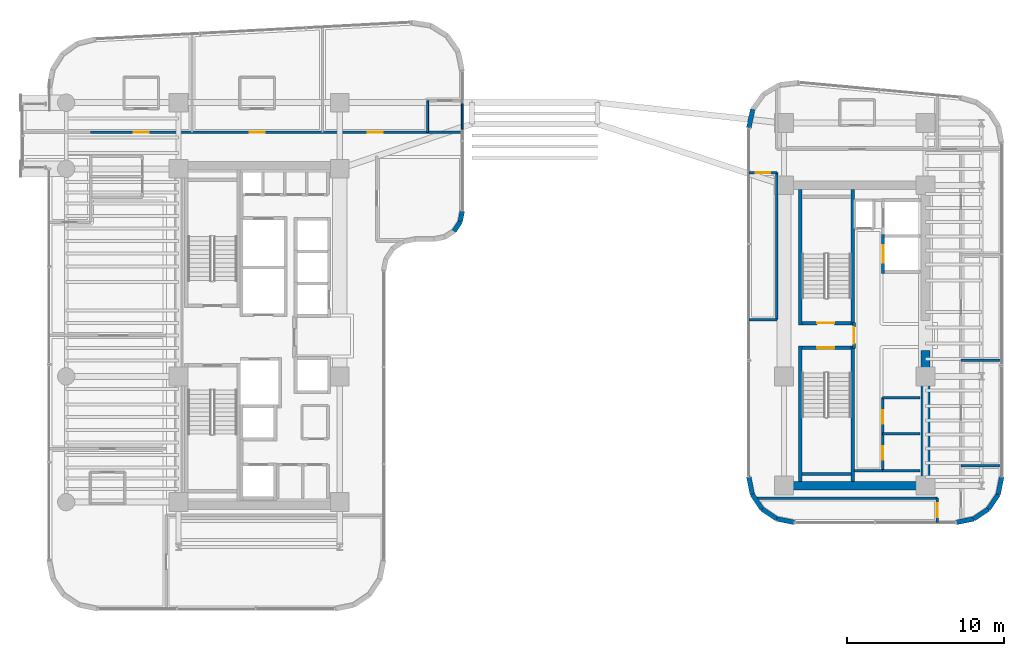
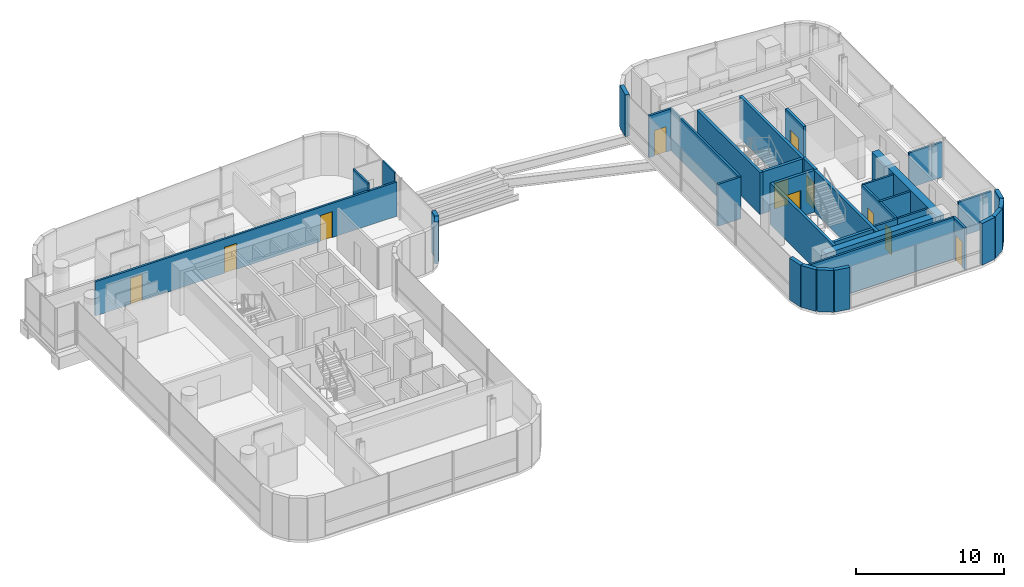
# One storey, part 30 of 36: 37 walls, 11 doors, 11 openings.
"""IFC4 building model written with IfcOpenShell, lengths in metres."""

from ifc_helpers import new_model, si_unit, direction, frame, frame_2d, origin, place, context, subcontext, project, spatial, rectangle, extrude, material, layer, layer_set, type_object, element, fill, save


model = new_model("IFC4")

# Units and contexts
model_context = context("Model", 3, precision=1e-05, world=origin(), true_north=direction((0.0, 1.0)))
body_context = subcontext(model_context, "Body", "Model", "MODEL_VIEW")
ifc_project = project(units=[si_unit("LENGTHUNIT", "METRE"), si_unit("AREAUNIT", "SQUARE_METRE"), si_unit("VOLUMEUNIT", "CUBIC_METRE"), si_unit("PLANEANGLEUNIT", "RADIAN"), si_unit("MASSUNIT", "GRAM", prefix="KILO")], contexts=[model_context])

# Site, building, storey
site_placement = place(None, origin())
site = spatial("IfcSite", under=ifc_project, at=site_placement, CompositionType="ELEMENT")
building_placement = place(site_placement, origin())
building = spatial("IfcBuilding", under=site, at=building_placement, Name="Valdorenza Pilgrim Sanctuary Tower", CompositionType="ELEMENT")
storey_placement = place(building_placement, frame((0.0, 0.0, 153.800048828125)))
storey = spatial("IfcBuildingStorey", under=building, at=storey_placement, Name="L39", CompositionType="ELEMENT", Elevation=153.800048828125)

# Wall
ifc_material_1 = material(Name="Acoustic twin-stud gypsum partition", Category="gypsum")
ifc_layer_1 = layer(ifc_material_1, 0.159912109375, Name="Acoustic twin-stud gypsum partition")
ifc_layer_set_1 = layer_set([ifc_layer_1], Name="Acoustic twin-stud gypsum partition")
wall_type_1 = type_object("IfcWallType", Name="WAL-COR-160", PredefinedType="PARTITIONING", material=ifc_layer_set_1)
wall_1_placement = place(storey_placement, frame((20.300048828125, -8.60009765625, 0.0), z_axis=(0.0, 0.0, 1.0), x_axis=(1.0, 0.0, 0.0)))
element("IfcWall", 1, at=wall_1_placement, inside=storey, type_object=wall_type_1, Name="L39 Core B Lift Hall South End Wall", PredefinedType="PARTITIONING", context=body_context, shape_type="SweptSolid", body=[
    extrude(rectangle(XDim=1.820068359375, YDim=0.159912109375, at=frame_2d((0.91015625, 0.0))), origin(), (0.0, 0.0, 1.0), 3.4599609375),
])

# Wall, openings, doors
wall_2_placement = place(storey_placement, frame((22.1201171875, -8.60009765625, 0.0), z_axis=(0.0, 0.0, 1.0), x_axis=(0.0, 1.0, 0.0)))
wall_2 = element("IfcWall", 2, at=wall_2_placement, inside=storey, type_object=wall_type_1, Name="L39 Core B Freed Shaft West Wall", PredefinedType="PARTITIONING", context=body_context, shape_type="SweptSolid", body=[
    extrude(rectangle(XDim=4.650146484375, YDim=0.159912109375, at=frame_2d((2.3251953125, 0.0))), origin(), (0.0, 0.0, 1.0), 3.4599609375),
])
opening_1_placement = place(wall_2_placement, frame((0.699951171875, 0.0, 0.0)))
opening_1 = element("IfcOpeningElement", 3, at=opening_1_placement, cuts=wall_2, Name="Opening DR-RS1", PredefinedType="OPENING", context=body_context, shape_type="SweptSolid", body=[
    extrude(rectangle(XDim=0.85009765625, YDim=2.050048828125, at=frame_2d((0.425048828125, 1.02490234375))), frame((0.0, 0.0947265625, 0.0), z_axis=(0.0, -1.0, 0.0), x_axis=(1.0, 0.0, 0.0)), (0.0, 0.0, 1.0), 0.189697265625),
])
opening_2_placement = place(wall_2_placement, frame((3.0, 0.0, 0.0)))
opening_2 = element("IfcOpeningElement", 4, at=opening_2_placement, cuts=wall_2, Name="Opening DR-RS1", PredefinedType="OPENING", context=body_context, shape_type="SweptSolid", body=[
    extrude(rectangle(XDim=0.85009765625, YDim=2.050048828125, at=frame_2d((0.425048828125, 1.02490234375))), frame((0.0, 0.0947265625, 0.0), z_axis=(0.0, -1.0, 0.0), x_axis=(1.0, 0.0, 0.0)), (0.0, 0.0, 1.0), 0.189697265625),
])
ifc_material_2 = material(Name="Painted galvanized steel", Category="steel")
door_type_1 = type_object("IfcDoorType", Name="DR-RSR-850", OperationType="NOTDEFINED", PredefinedType="DOOR", material=ifc_material_2)
door_1_placement = place(opening_1_placement, origin())
door_1 = element("IfcDoor", 5, at=door_1_placement, inside=storey, type_object=door_type_1, Name="L39 East Core Housekeeping Store Door", OperationType="SINGLE_SWING_RIGHT", OverallHeight=2.050048828125, OverallWidth=0.85009765625, PredefinedType="DOOR", context=body_context, shape_type="SweptSolid", body=[
    extrude(rectangle(XDim=0.85009765625, YDim=2.050048828125, at=frame_2d((0.425048828125, 1.02490234375))), frame((0.0, 0.02490234375, 0.0), z_axis=(0.0, -1.0, 0.0), x_axis=(1.0, 0.0, 0.0)), (0.0, 0.0, 1.0), 0.050048828125),
])
fill(opening_1, door_1)
door_2_placement = place(opening_2_placement, origin())
door_2 = element("IfcDoor", 6, at=door_2_placement, inside=storey, type_object=door_type_1, Name="L39 East Core Tea Pantry Door", OperationType="SINGLE_SWING_LEFT", OverallHeight=2.050048828125, OverallWidth=0.85009765625, PredefinedType="DOOR", context=body_context, shape_type="SweptSolid", body=[
    extrude(rectangle(XDim=0.85009765625, YDim=2.050048828125, at=frame_2d((0.425048828125, 1.02490234375))), frame((0.0, 0.02490234375, 0.0), z_axis=(0.0, -1.0, 0.0), x_axis=(1.0, 0.0, 0.0)), (0.0, 0.0, 1.0), 0.050048828125),
])
fill(opening_2, door_2)

# Wall
wall_3_placement = place(storey_placement, frame((22.1201171875, -6.25, 0.0), z_axis=(0.0, 0.0, 1.0), x_axis=(1.0, 0.0, 0.0)))
element("IfcWall", 7, at=wall_3_placement, inside=storey, type_object=wall_type_1, Name="L39 Core B Freed Split", PredefinedType="PARTITIONING", context=body_context, shape_type="SweptSolid", body=[
    extrude(rectangle(XDim=2.3798828125, YDim=0.159912109375, at=frame_2d((1.18994140625, 0.0))), origin(), (0.0, 0.0, 1.0), 3.4599609375),
])

# Wall, openings, doors
wall_4_placement = place(storey_placement, frame((-28.25, 12.919921875, 0.0), z_axis=(0.0, 0.0, 1.0), x_axis=(1.0, 0.0, 0.0)))
wall_4 = element("IfcWall", 8, at=wall_4_placement, inside=storey, type_object=wall_type_1, Name="L39 North Corridor Wall", PredefinedType="PARTITIONING", context=body_context, shape_type="SweptSolid", body=[
    extrude(rectangle(XDim=23.639892578125, YDim=0.159912109375, at=frame_2d((11.81982421875, 0.0))), origin(), (0.0, 0.0, 1.0), 2.833984375),
])
opening_3_placement = place(wall_4_placement, frame((2.75, 0.0, 0.0)))
opening_3 = element("IfcOpeningElement", 9, at=opening_3_placement, cuts=wall_4, Name="Opening DR-UN1", PredefinedType="OPENING", context=body_context, shape_type="SweptSolid", body=[
    extrude(rectangle(XDim=0.949951171875, YDim=2.14990234375, at=frame_2d((0.47509765625, 1.074951171875))), frame((0.0, 0.0947265625, 0.0), z_axis=(0.0, -1.0, 0.0), x_axis=(1.0, 0.0, 0.0)), (0.0, 0.0, 1.0), 0.189697265625),
])
opening_4_placement = place(wall_4_placement, frame((10.125, 0.0, 0.0)))
opening_4 = element("IfcOpeningElement", 10, at=opening_4_placement, cuts=wall_4, Name="Opening DR-UN1", PredefinedType="OPENING", context=body_context, shape_type="SweptSolid", body=[
    extrude(rectangle(XDim=0.949951171875, YDim=2.14990234375, at=frame_2d((0.47509765625, 1.074951171875))), frame((0.0, 0.0947265625, 0.0), z_axis=(0.0, -1.0, 0.0), x_axis=(1.0, 0.0, 0.0)), (0.0, 0.0, 1.0), 0.189697265625),
])
opening_5_placement = place(wall_4_placement, frame((17.6201171875, 0.0, 0.0)))
opening_5 = element("IfcOpeningElement", 11, at=opening_5_placement, cuts=wall_4, Name="Opening DR-UN1", PredefinedType="OPENING", context=body_context, shape_type="SweptSolid", body=[
    extrude(rectangle(XDim=0.949951171875, YDim=2.14990234375, at=frame_2d((0.47509765625, 1.074951171875))), frame((0.0, 0.0947265625, 0.0), z_axis=(0.0, -1.0, 0.0), x_axis=(1.0, 0.0, 0.0)), (0.0, 0.0, 1.0), 0.189697265625),
])
ifc_material_3 = material(Name="Solid-core European oak timber", Category="wood")
door_type_2 = type_object("IfcDoorType", Name="DR-UNIT-950", OperationType="NOTDEFINED", PredefinedType="DOOR", material=ifc_material_3)
door_3_placement = place(opening_3_placement, frame((0.949951171875, 0.0, 0.0), z_axis=(0.0, 0.0, 1.0), x_axis=(-1.0, 0.0, 0.0)))
door_3 = element("IfcDoor", 12, at=door_3_placement, inside=storey, type_object=door_type_2, Name="L39 North Guest Room L39-N1 Entrance Door", OperationType="SINGLE_SWING_LEFT", OverallHeight=2.14990234375, OverallWidth=0.949951171875, PredefinedType="DOOR", context=body_context, shape_type="SweptSolid", body=[
    extrude(rectangle(XDim=0.949951171875, YDim=2.14990234375, at=frame_2d((0.47509765625, 1.074951171875))), frame((0.0, 0.02490234375, 0.0), z_axis=(0.0, -1.0, 0.0), x_axis=(1.0, 0.0, 0.0)), (0.0, 0.0, 1.0), 0.050048828125),
])
fill(opening_3, door_3)
door_4_placement = place(opening_4_placement, frame((0.949951171875, 0.0, 0.0), z_axis=(0.0, 0.0, 1.0), x_axis=(-1.0, 0.0, 0.0)))
door_4 = element("IfcDoor", 13, at=door_4_placement, inside=storey, type_object=door_type_2, Name="L39 North Guest Room L39-N2 Entrance Door", OperationType="SINGLE_SWING_LEFT", OverallHeight=2.14990234375, OverallWidth=0.949951171875, PredefinedType="DOOR", context=body_context, shape_type="SweptSolid", body=[
    extrude(rectangle(XDim=0.949951171875, YDim=2.14990234375, at=frame_2d((0.47509765625, 1.074951171875))), frame((0.0, 0.02490234375, 0.0), z_axis=(0.0, -1.0, 0.0), x_axis=(1.0, 0.0, 0.0)), (0.0, 0.0, 1.0), 0.050048828125),
])
fill(opening_4, door_4)
door_5_placement = place(opening_5_placement, frame((0.949951171875, 0.0, 0.0), z_axis=(0.0, 0.0, 1.0), x_axis=(-1.0, 0.0, 0.0)))
door_5 = element("IfcDoor", 14, at=door_5_placement, inside=storey, type_object=door_type_2, Name="L39 North Guest Room L39-N3 Entrance Door", OperationType="SINGLE_SWING_LEFT", OverallHeight=2.14990234375, OverallWidth=0.949951171875, PredefinedType="DOOR", context=body_context, shape_type="SweptSolid", body=[
    extrude(rectangle(XDim=0.949951171875, YDim=2.14990234375, at=frame_2d((0.47509765625, 1.074951171875))), frame((0.0, 0.02490234375, 0.0), z_axis=(0.0, -1.0, 0.0), x_axis=(1.0, 0.0, 0.0)), (0.0, 0.0, 1.0), 0.050048828125),
])
fill(opening_5, door_5)

# Wall, opening, door
wall_5_placement = place(storey_placement, frame((25.60009765625, -11.889892578125, 0.0), z_axis=(0.0, 0.0, 1.0), x_axis=(0.0, 1.0, 0.0)))
wall_5 = element("IfcWall", 15, at=wall_5_placement, inside=storey, type_object=wall_type_1, Name="L39 Wing B South-East Wall", PredefinedType="PARTITIONING", context=body_context, shape_type="SweptSolid", body=[
    extrude(rectangle(XDim=1.539794921875, YDim=0.159912109375, at=frame_2d((0.77001953125, 0.0))), origin(), (0.0, 0.0, 1.0), 3.4599609375),
])
opening_6_placement = place(wall_5_placement, frame((0.320068359375, 0.0, 0.0)))
opening_6 = element("IfcOpeningElement", 16, at=opening_6_placement, cuts=wall_5, Name="Opening DR-RM1", PredefinedType="OPENING", context=body_context, shape_type="SweptSolid", body=[
    extrude(rectangle(XDim=0.89990234375, YDim=2.10009765625, at=frame_2d((0.449951171875, 1.050048828125))), frame((0.0, 0.0947265625, 0.0), z_axis=(0.0, -1.0, 0.0), x_axis=(1.0, 0.0, 0.0)), (0.0, 0.0, 1.0), 0.189697265625),
])
door_type_3 = type_object("IfcDoorType", Name="DR-ROOM-900", OperationType="NOTDEFINED", PredefinedType="DOOR", material=ifc_material_3)
door_6_placement = place(opening_6_placement, origin())
door_6 = element("IfcDoor", 17, at=door_6_placement, inside=storey, type_object=door_type_3, Name="L39 Sacred Manuscript Archive L39-BS Door", OperationType="SINGLE_SWING_RIGHT", OverallHeight=2.10009765625, OverallWidth=0.89990234375, PredefinedType="DOOR", context=body_context, shape_type="SweptSolid", body=[
    extrude(rectangle(XDim=0.89990234375, YDim=2.10009765625, at=frame_2d((0.449951171875, 1.050048828125))), frame((0.0, 0.02490234375, 0.0), z_axis=(0.0, -1.0, 0.0), x_axis=(1.0, 0.0, 0.0)), (0.0, 0.0, 1.0), 0.050048828125),
])
fill(opening_6, door_6)

# Wall
wall_6_placement = place(storey_placement, frame((14.14599609375, -10.35009765625, 0.0), z_axis=(0.0, 0.0, 1.0), x_axis=(1.0, 0.0, 0.0)))
element("IfcWall", 18, at=wall_6_placement, inside=storey, type_object=wall_type_1, Name="L39 Wing B South Closure", PredefinedType="PARTITIONING", context=body_context, shape_type="SweptSolid", body=[
    extrude(rectangle(XDim=11.4541015625, YDim=0.159912109375, at=frame_2d((5.72705078125, 0.0))), origin(), (0.0, 0.0, 1.0), 3.4599609375),
])

# Wall, opening, door
wall_7_placement = place(storey_placement, frame((13.610107421875, 10.35009765625, 0.0), z_axis=(0.0, 0.0, 1.0), x_axis=(1.0, 0.0, 0.0)))
wall_7 = element("IfcWall", 19, at=wall_7_placement, inside=storey, type_object=wall_type_1, Name="L39 Courtyard Overlook North Wall", PredefinedType="PARTITIONING", context=body_context, shape_type="SweptSolid", body=[
    extrude(rectangle(XDim=1.789794921875, YDim=0.159912109375, at=frame_2d((0.89501953125, 0.0))), origin(), (0.0, 0.0, 1.0), 3.4599609375),
])
opening_7_placement = place(wall_7_placement, frame((0.449951171875, 0.0, 0.0)))
opening_7 = element("IfcOpeningElement", 20, at=opening_7_placement, cuts=wall_7, Name="Opening DR-RM1", PredefinedType="OPENING", context=body_context, shape_type="SweptSolid", body=[
    extrude(rectangle(XDim=0.89990234375, YDim=2.10009765625, at=frame_2d((0.449951171875, 1.050048828125))), frame((0.0, 0.0947265625, 0.0), z_axis=(0.0, -1.0, 0.0), x_axis=(1.0, 0.0, 0.0)), (0.0, 0.0, 1.0), 0.189697265625),
])
door_7_placement = place(opening_7_placement, origin())
door_7 = element("IfcDoor", 21, at=door_7_placement, inside=storey, type_object=door_type_3, Name="L39 Courtyard Overlook Salon Door", OperationType="SINGLE_SWING_RIGHT", OverallHeight=2.10009765625, OverallWidth=0.89990234375, PredefinedType="DOOR", context=body_context, shape_type="SweptSolid", body=[
    extrude(rectangle(XDim=0.89990234375, YDim=2.10009765625, at=frame_2d((0.449951171875, 1.050048828125))), frame((0.0, 0.02490234375, 0.0), z_axis=(0.0, -1.0, 0.0), x_axis=(1.0, 0.0, 0.0)), (0.0, 0.0, 1.0), 0.050048828125),
])
fill(opening_7, door_7)

# Walls
wall_8_placement = place(storey_placement, frame((15.39990234375, 1.0, 0.0), z_axis=(0.0, 0.0, 1.0), x_axis=(0.0, 1.0, 0.0)))
element("IfcWall", 22, at=wall_8_placement, inside=storey, type_object=wall_type_1, Name="L39 Courtyard Overlook East Wall", PredefinedType="PARTITIONING", context=body_context, shape_type="SweptSolid", body=[
    extrude(rectangle(XDim=9.35009765625, YDim=0.159912109375, at=frame_2d((4.675048828125, 0.0))), origin(), (0.0, 0.0, 1.0), 3.4599609375),
])
wall_9_placement = place(storey_placement, frame((13.610107421875, 1.0, 0.0), z_axis=(0.0, 0.0, 1.0), x_axis=(1.0, 0.0, 0.0)))
element("IfcWall", 23, at=wall_9_placement, inside=storey, type_object=wall_type_1, Name="L39 Courtyard Overlook South Wall", PredefinedType="PARTITIONING", context=body_context, shape_type="SweptSolid", body=[
    extrude(rectangle(XDim=1.789794921875, YDim=0.159912109375, at=frame_2d((0.89501953125, 0.0))), origin(), (0.0, 0.0, 1.0), 3.4599609375),
])
ifc_material_4 = material(Name="Concrete C50/60", Category="concrete")
ifc_layer_2 = layer(ifc_material_4, 0.550048828125, Name="Concrete C50/60")
ifc_layer_set_2 = layer_set([ifc_layer_2], Name="Concrete C50/60")
wall_type_2 = type_object("IfcWallType", Name="WAL-COR-550", PredefinedType="SHEAR", material=ifc_layer_set_2)
wall_10_placement = place(storey_placement, frame((24.85009765625, -9.824951171875, 0.0), z_axis=(0.0, 0.0, 1.0), x_axis=(0.0, 1.0, 0.0)))
element("IfcWall", 24, at=wall_10_placement, inside=storey, type_object=wall_type_2, Name="L39 Split Core B Shear Wall ES", PredefinedType="SHEAR", context=body_context, shape_type="SweptSolid", body=[
    extrude(rectangle(XDim=8.875, YDim=0.550048828125, at=frame_2d((4.4375, 0.0))), origin(), (0.0, 0.0, 1.0), 3.4599609375),
])
wall_11_placement = place(storey_placement, frame((15.85009765625, -9.550048828125, 0.0), z_axis=(0.0, 0.0, 1.0), x_axis=(1.0, 0.0, 0.0)))
element("IfcWall", 25, at=wall_11_placement, inside=storey, type_object=wall_type_2, Name="L39 Split Core B Shear Wall S", PredefinedType="SHEAR", context=body_context, shape_type="SweptSolid", body=[
    extrude(rectangle(XDim=9.0, YDim=0.550048828125, at=frame_2d((4.5, 0.0))), origin(), (0.0, 0.0, 1.0), 3.4599609375),
])
ifc_material_5 = material(Name="Honed travertine limestone", Category="masonry")
ifc_layer_3 = layer(ifc_material_5, 0.300048828125, Name="Honed travertine limestone")
ifc_layer_set_3 = layer_set([ifc_layer_3], Name="Honed travertine limestone")
wall_type_3 = type_object("IfcWallType", Name="WAL-EXT-300", PredefinedType="SOLIDWALL", material=ifc_layer_set_3)
wall_12_placement = place(storey_placement, frame((-4.610107421875, 7.910888671875, 0.0), z_axis=(0.0, 0.0, 1.0), x_axis=(-0.194989739953, -0.980805282058, 0.0)))
element("IfcWall", 26, at=wall_12_placement, inside=storey, type_object=wall_type_3, Name="L39 Rounded Wind-Corner Stone Pier 12", PredefinedType="SOLIDWALL", context=body_context, shape_type="SweptSolid", body=[
    extrude(rectangle(XDim=0.708740234375, YDim=0.300048828125, at=frame_2d((0.3544921875, 0.0))), origin(), (0.0, 0.0, 1.0), 3.4599609375),
])
wall_13_placement = place(storey_placement, frame((-4.748291015625, 7.2158203125, 0.0), z_axis=(0.0, 0.0, 1.0), x_axis=(-0.555426877366, -0.831565381614, 0.0)))
element("IfcWall", 27, at=wall_13_placement, inside=storey, type_object=wall_type_3, Name="L39 Rounded Wind-Corner Stone Pier 13", PredefinedType="SOLIDWALL", context=body_context, shape_type="SweptSolid", body=[
    extrude(rectangle(XDim=0.697509765625, YDim=0.300048828125, at=frame_2d((0.3486328125, 0.0))), origin(), (0.0, 0.0, 1.0), 3.4599609375),
])
wall_14_placement = place(storey_placement, frame((13.610107421875, 13.19970703125, 0.0), z_axis=(0.0, 0.0, 1.0), x_axis=(0.206133180315, 0.978523945529, 0.0)))
element("IfcWall", 28, at=wall_14_placement, inside=storey, type_object=wall_type_3, Name="L39 Rounded Wind-Corner Stone Pier 2", PredefinedType="SOLIDWALL", context=body_context, shape_type="SweptSolid", body=[
    extrude(rectangle(XDim=1.203369140625, YDim=0.300048828125, at=frame_2d((0.6015625, 0.0))), origin(), (0.0, 0.0, 1.0), 3.4599609375),
])
wall_15_placement = place(storey_placement, frame((29.68994140625, -8.9892578125, 0.0), z_axis=(0.0, 0.0, 1.0), x_axis=(-0.195043173023, -0.980794657743, 0.0)))
element("IfcWall", 29, at=wall_15_placement, inside=storey, type_object=wall_type_3, Name="L39 Rounded Wind-Corner Stone Pier 12", PredefinedType="SOLIDWALL", context=body_context, shape_type="SweptSolid", body=[
    extrude(rectangle(XDim=1.137939453125, YDim=0.300048828125, at=frame_2d((0.56884765625, 0.0))), origin(), (0.0, 0.0, 1.0), 3.4599609375),
])
for number, where, z_axis, x_axis, name in (
    (30, (29.468017578125, -10.105224609375, 0.0), (0.0, 0.0, 1.0), (-0.555599979619, -0.831449735491, 0.0), "L39 Rounded Wind-Corner Stone Pier 13"),
    (31, (28.842041015625, -11.0419921875, 0.0), (0.0, 0.0, 1.0), (-0.831449735491, -0.555599979619, 0.0), "L39 Rounded Wind-Corner Stone Pier 14"),
):
    element("IfcWall", number, at=place(storey_placement, frame(where, z_axis=z_axis, x_axis=x_axis)), inside=storey, type_object=wall_type_3, Name=name, PredefinedType="SOLIDWALL", context=body_context, shape_type="SweptSolid", body=[
        extrude(rectangle(XDim=1.126708984375, YDim=0.300048828125, at=frame_2d((0.5634765625, 0.0))), origin(), (0.0, 0.0, 1.0), 3.4599609375),
    ])
for number, where, z_axis, x_axis, name in (
    (32, (27.9052734375, -11.66796875, 0.0), (0.0, 0.0, 1.0), (-0.980794657743, -0.195043173023, 0.0), "L39 Rounded Wind-Corner Stone Pier 15"),
    (33, (16.5107421875, -11.889892578125, 0.0), (0.0, 0.0, 1.0), (-0.980794657743, 0.195043173023, 0.0), "L39 Rounded Wind-Corner Stone Pier 17"),
):
    element("IfcWall", number, at=place(storey_placement, frame(where, z_axis=z_axis, x_axis=x_axis)), inside=storey, type_object=wall_type_3, Name=name, PredefinedType="SOLIDWALL", context=body_context, shape_type="SweptSolid", body=[
        extrude(rectangle(XDim=1.137939453125, YDim=0.300048828125, at=frame_2d((0.56884765625, 0.0))), origin(), (0.0, 0.0, 1.0), 3.4599609375),
    ])
for number, where, z_axis, x_axis, name in (
    (34, (15.394775390625, -11.66796875, 0.0), (0.0, 0.0, 1.0), (-0.831449735491, 0.555599979619, 0.0), "L39 Rounded Wind-Corner Stone Pier 18"),
    (35, (14.4580078125, -11.0419921875, 0.0), (0.0, 0.0, 1.0), (-0.555599979619, 0.831449735491, 0.0), "L39 Rounded Wind-Corner Stone Pier 19"),
):
    element("IfcWall", number, at=place(storey_placement, frame(where, z_axis=z_axis, x_axis=x_axis)), inside=storey, type_object=wall_type_3, Name=name, PredefinedType="SOLIDWALL", context=body_context, shape_type="SweptSolid", body=[
        extrude(rectangle(XDim=1.126708984375, YDim=0.300048828125, at=frame_2d((0.5634765625, 0.0))), origin(), (0.0, 0.0, 1.0), 3.4599609375),
    ])
wall_16_placement = place(storey_placement, frame((13.83203125, -10.105224609375, 0.0), z_axis=(0.0, 0.0, 1.0), x_axis=(-0.195043173023, 0.980794657743, 0.0)))
element("IfcWall", 36, at=wall_16_placement, inside=storey, type_object=wall_type_3, Name="L39 Rounded Wind-Corner Stone Pier 20", PredefinedType="SOLIDWALL", context=body_context, shape_type="SweptSolid", body=[
    extrude(rectangle(XDim=1.137939453125, YDim=0.300048828125, at=frame_2d((0.56884765625, 0.0))), origin(), (0.0, 0.0, 1.0), 3.4599609375),
])

# Wall, opening, door
ifc_material_6 = material(Name="Gypsum shaftwall partition", Category="gypsum")
ifc_layer_4 = layer(ifc_material_6, 0.199951171875, Name="Gypsum shaftwall partition")
ifc_layer_set_4 = layer_set([ifc_layer_4], Name="Gypsum shaftwall partition")
wall_type_4 = type_object("IfcWallType", Name="WAL-FFL-200", PredefinedType="PARTITIONING", material=ifc_layer_set_4)
wall_17_placement = place(storey_placement, frame((20.300048828125, -0.820068359375, 0.0), z_axis=(0.0, 0.0, 1.0), x_axis=(0.0, 1.0, 0.0)))
wall_17 = element("IfcWall", 37, at=wall_17_placement, inside=storey, type_object=wall_type_4, Name="L39 Core B Firefighting Lobby East Wall", PredefinedType="PARTITIONING", context=body_context, shape_type="SweptSolid", body=[
    extrude(rectangle(XDim=1.64013671875, YDim=0.199951171875, at=frame_2d((0.820068359375, 0.0))), origin(), (0.0, 0.0, 1.0), 3.4599609375),
])
opening_8_placement = place(wall_17_placement, frame((0.294921875, 0.0, 0.0)))
opening_8 = element("IfcOpeningElement", 38, at=opening_8_placement, cuts=wall_17, Name="Opening DR-FL1", PredefinedType="OPENING", context=body_context, shape_type="SweptSolid", body=[
    extrude(rectangle(XDim=1.050048828125, YDim=2.14990234375, at=frame_2d((0.52490234375, 1.074951171875))), frame((0.0, 0.11474609375, 0.0), z_axis=(0.0, -1.0, 0.0), x_axis=(1.0, 0.0, 0.0)), (0.0, 0.0, 1.0), 0.229736328125),
])
door_type_4 = type_object("IfcDoorType", Name="DR-FFL-1050", OperationType="NOTDEFINED", PredefinedType="DOOR", material=ifc_material_2)
door_8_placement = place(opening_8_placement, origin())
door_8 = element("IfcDoor", 39, at=door_8_placement, inside=storey, type_object=door_type_4, Name="L39 Core B Firefighting Lobby Door", OperationType="SINGLE_SWING_RIGHT", OverallHeight=2.14990234375, OverallWidth=1.050048828125, PredefinedType="DOOR", context=body_context, shape_type="SweptSolid", body=[
    extrude(rectangle(XDim=1.050048828125, YDim=2.14990234375, at=frame_2d((0.52490234375, 1.074951171875))), frame((0.0, 0.02490234375, 0.0), z_axis=(0.0, -1.0, 0.0), x_axis=(1.0, 0.0, 0.0)), (0.0, 0.0, 1.0), 0.050048828125),
])
fill(opening_8, door_8)

# Walls
ifc_material_7 = material(Name="Moisture-resistant gypsum partition", Category="gypsum")
ifc_layer_5 = layer(ifc_material_7, 0.1201171875, Name="Moisture-resistant gypsum partition")
ifc_layer_set_5 = layer_set([ifc_layer_5], Name="Moisture-resistant gypsum partition")
wall_type_5 = type_object("IfcWallType", Name="WAL-INT-120", PredefinedType="PARTITIONING", material=ifc_layer_set_5)
wall_18_placement = place(storey_placement, frame((-6.81005859375, 12.919921875, 0.0), z_axis=(0.0, 0.0, 1.0), x_axis=(0.0, 1.0, 0.0)))
element("IfcWall", 40, at=wall_18_placement, inside=storey, type_object=wall_type_5, Name="L39 North Guest Room L39-N3 En-suite West Wall", PredefinedType="PARTITIONING", context=body_context, shape_type="SweptSolid", body=[
    extrude(rectangle(XDim=2.0, YDim=0.1201171875, at=frame_2d((1.0, 0.0))), origin(), (0.0, 0.0, 1.0), 3.4599609375),
])
wall_19_placement = place(storey_placement, frame((-4.610107421875, 13.1201171875, 0.0), z_axis=(0.0, 0.0, 1.0), x_axis=(0.0, 1.0, 0.0)))
element("IfcWall", 41, at=wall_19_placement, inside=storey, type_object=wall_type_5, Name="L39 NW-G3-ENS Enclosure Wall E", PredefinedType="PARTITIONING", context=body_context, shape_type="SweptSolid", body=[
    extrude(rectangle(XDim=1.619873046875, YDim=0.1201171875, at=frame_2d((0.81005859375, 0.0))), origin(), (0.0, 0.0, 1.0), 3.4599609375),
])

# Wall, opening, door
ifc_material_8 = material(Name="Autoclaved aerated concrete blockwork", Category="masonry")
ifc_layer_6 = layer(ifc_material_8, 0.199951171875, Name="Autoclaved aerated concrete blockwork")
ifc_layer_set_6 = layer_set([ifc_layer_6], Name="Autoclaved aerated concrete blockwork")
wall_type_6 = type_object("IfcWallType", Name="WAL-SHF-200", PredefinedType="MOVABLE", material=ifc_layer_set_6)
wall_20_placement = place(storey_placement, frame((22.14990234375, 3.949951171875, 0.0), z_axis=(0.0, 0.0, 1.0), x_axis=(0.0, 1.0, 0.0)))
wall_20 = element("IfcWall", 42, at=wall_20_placement, inside=storey, type_object=wall_type_6, Name="L39 Lift PL-07 Hoistway Wall West", PredefinedType="MOVABLE", context=body_context, shape_type="SweptSolid", body=[
    extrude(rectangle(XDim=2.47509765625, YDim=0.199951171875, at=frame_2d((1.237548828125, 0.0))), origin(), (0.0, 0.0, 1.0), 3.4599609375),
])
opening_9_placement = place(wall_20_placement, frame((0.6875, 0.0, 0.0)))
opening_9 = element("IfcOpeningElement", 43, at=opening_9_placement, cuts=wall_20, Name="Opening LD-01", PredefinedType="OPENING", context=body_context, shape_type="SweptSolid", body=[
    extrude(rectangle(XDim=1.10009765625, YDim=2.10009765625, at=frame_2d((0.550048828125, 1.050048828125))), frame((0.0, 0.11474609375, 0.0), z_axis=(0.0, -1.0, 0.0), x_axis=(1.0, 0.0, 0.0)), (0.0, 0.0, 1.0), 0.229736328125),
])
ifc_material_9 = material(Name="Brushed stainless steel Grade 316", Category="steel")
door_type_5 = type_object("IfcDoorType", Name="DR-LFT-1100", OperationType="DOUBLE_DOOR_SLIDING", PredefinedType="DOOR", material=ifc_material_9)
door_9_placement = place(opening_9_placement, origin())
door_9 = element("IfcDoor", 44, at=door_9_placement, inside=storey, type_object=door_type_5, Name="L39 Lift PL-07 Sliding Landing Door", OperationType="DOUBLE_DOOR_SLIDING", OverallHeight=2.10009765625, OverallWidth=1.10009765625, PredefinedType="DOOR", context=body_context, shape_type="SweptSolid", body=[
    extrude(rectangle(XDim=1.10009765625, YDim=2.10009765625, at=frame_2d((0.550048828125, 1.050048828125))), frame((0.0, 0.02490234375, 0.0), z_axis=(0.0, -1.0, 0.0), x_axis=(1.0, 0.0, 0.0)), (0.0, 0.0, 1.0), 0.050048828125),
])
fill(opening_9, door_9)

# Walls
ifc_material_10 = material(Name="Concrete C40/50", Category="concrete")
ifc_layer_7 = layer(ifc_material_10, 0.219970703125, Name="Concrete C40/50")
ifc_layer_set_7 = layer_set([ifc_layer_7], Name="Concrete C40/50")
wall_type_7 = type_object("IfcWallType", Name="WAL-STR-SHF-220", PredefinedType="SHEAR", material=ifc_layer_set_7)
for number, where, z_axis, x_axis, name in (
    (45, (16.889892578125, 0.679931640625, 0.0), (0.0, 0.0, 1.0), (0.0, 1.0, 0.0), "L39 ST-B1 Structural Stairwell Wall W"),
    (46, (20.219970703125, 0.679931640625, 0.0), (0.0, 0.0, 1.0), (0.0, 1.0, 0.0), "L39 ST-B1 Structural Stairwell Wall E"),
):
    element("IfcWall", number, at=place(storey_placement, frame(where, z_axis=z_axis, x_axis=x_axis)), inside=storey, type_object=wall_type_7, Name=name, PredefinedType="SHEAR", context=body_context, shape_type="SweptSolid", body=[
        extrude(rectangle(XDim=8.594970703125, YDim=0.219970703125, at=frame_2d((4.29736328125, 0.0))), origin(), (0.0, 0.0, 1.0), 3.4599609375),
    ])

# Wall, opening, door
wall_21_placement = place(storey_placement, frame((17.0, 0.7900390625, 0.0), z_axis=(0.0, 0.0, 1.0), x_axis=(1.0, 0.0, 0.0)))
wall_21 = element("IfcWall", 47, at=wall_21_placement, inside=storey, type_object=wall_type_7, Name="L39 ST-B1 Structural Stairwell Wall S", PredefinedType="SHEAR", context=body_context, shape_type="SweptSolid", body=[
    extrude(rectangle(XDim=3.110107421875, YDim=0.219970703125, at=frame_2d((1.55517578125, 0.0))), origin(), (0.0, 0.0, 1.0), 3.4599609375),
])
opening_10_placement = place(wall_21_placement, frame((0.949951171875, 0.0, 0.0)))
opening_10 = element("IfcOpeningElement", 48, at=opening_10_placement, cuts=wall_21, Name="Opening DR-ST1", PredefinedType="OPENING", context=body_context, shape_type="SweptSolid", body=[
    extrude(rectangle(XDim=1.10009765625, YDim=2.14990234375, at=frame_2d((0.550048828125, 1.074951171875))), frame((0.0, 0.125, 0.0), z_axis=(0.0, -1.0, 0.0), x_axis=(1.0, 0.0, 0.0)), (0.0, 0.0, 1.0), 0.249755859375),
])
door_type_6 = type_object("IfcDoorType", Name="DR-STAIR-1100", OperationType="NOTDEFINED", PredefinedType="DOOR", material=ifc_material_2)
door_10_placement = place(opening_10_placement, frame((1.10009765625, 0.0, 0.0), z_axis=(0.0, 0.0, 1.0), x_axis=(-1.0, 0.0, 0.0)))
door_10 = element("IfcDoor", 49, at=door_10_placement, inside=storey, type_object=door_type_6, Name="L39 Exit Stair ST-B1 Door", OperationType="SINGLE_SWING_LEFT", OverallHeight=2.14990234375, OverallWidth=1.10009765625, PredefinedType="DOOR", context=body_context, shape_type="SweptSolid", body=[
    extrude(rectangle(XDim=1.10009765625, YDim=2.14990234375, at=frame_2d((0.550048828125, 1.074951171875))), frame((0.0, 0.02490234375, 0.0), z_axis=(0.0, -1.0, 0.0), x_axis=(1.0, 0.0, 0.0)), (0.0, 0.0, 1.0), 0.050048828125),
])
fill(opening_10, door_10)

# Walls
for number, where, z_axis, x_axis, name in (
    (50, (16.889892578125, -9.27490234375, 0.0), (0.0, 0.0, 1.0), (0.0, 1.0, 0.0), "L39 ST-B2 Structural Stairwell Wall W"),
    (51, (20.219970703125, -9.27490234375, 0.0), (0.0, 0.0, 1.0), (0.0, 1.0, 0.0), "L39 ST-B2 Structural Stairwell Wall E"),
):
    element("IfcWall", number, at=place(storey_placement, frame(where, z_axis=z_axis, x_axis=x_axis)), inside=storey, type_object=wall_type_7, Name=name, PredefinedType="SHEAR", context=body_context, shape_type="SweptSolid", body=[
        extrude(rectangle(XDim=8.594970703125, YDim=0.219970703125, at=frame_2d((4.29736328125, 0.0))), origin(), (0.0, 0.0, 1.0), 3.4599609375),
    ])
wall_22_placement = place(storey_placement, frame((17.0, -8.81005859375, 0.0), z_axis=(0.0, 0.0, 1.0), x_axis=(1.0, 0.0, 0.0)))
element("IfcWall", 52, at=wall_22_placement, inside=storey, type_object=wall_type_7, Name="L39 ST-B2 Structural Stairwell Wall S", PredefinedType="SHEAR", context=body_context, shape_type="SweptSolid", body=[
    extrude(rectangle(XDim=3.110107421875, YDim=0.219970703125, at=frame_2d((1.55517578125, 0.0))), origin(), (0.0, 0.0, 1.0), 3.4599609375),
])

# Wall, opening, door
wall_23_placement = place(storey_placement, frame((17.0, -0.7900390625, 0.0), z_axis=(0.0, 0.0, 1.0), x_axis=(1.0, 0.0, 0.0)))
wall_23 = element("IfcWall", 53, at=wall_23_placement, inside=storey, type_object=wall_type_7, Name="L39 ST-B2 Structural Stairwell Wall N", PredefinedType="SHEAR", context=body_context, shape_type="SweptSolid", body=[
    extrude(rectangle(XDim=3.110107421875, YDim=0.219970703125, at=frame_2d((1.55517578125, 0.0))), origin(), (0.0, 0.0, 1.0), 3.4599609375),
])
opening_11_placement = place(wall_23_placement, frame((0.949951171875, 0.0, 0.0)))
opening_11 = element("IfcOpeningElement", 54, at=opening_11_placement, cuts=wall_23, Name="Opening DR-ST1", PredefinedType="OPENING", context=body_context, shape_type="SweptSolid", body=[
    extrude(rectangle(XDim=1.10009765625, YDim=2.14990234375, at=frame_2d((0.550048828125, 1.074951171875))), frame((0.0, 0.125, 0.0), z_axis=(0.0, -1.0, 0.0), x_axis=(1.0, 0.0, 0.0)), (0.0, 0.0, 1.0), 0.249755859375),
])
door_11_placement = place(opening_11_placement, origin())
door_11 = element("IfcDoor", 55, at=door_11_placement, inside=storey, type_object=door_type_6, Name="L39 Exit Stair ST-B2 Door", OperationType="SINGLE_SWING_RIGHT", OverallHeight=2.14990234375, OverallWidth=1.10009765625, PredefinedType="DOOR", context=body_context, shape_type="SweptSolid", body=[
    extrude(rectangle(XDim=1.10009765625, YDim=2.14990234375, at=frame_2d((0.550048828125, 1.074951171875))), frame((0.0, 0.02490234375, 0.0), z_axis=(0.0, -1.0, 0.0), x_axis=(1.0, 0.0, 0.0)), (0.0, 0.0, 1.0), 0.050048828125),
])
fill(opening_11, door_11)

# Walls
ifc_layer_8 = layer(ifc_material_1, 0.14990234375, Name="Acoustic twin-stud gypsum partition")
ifc_layer_set_8 = layer_set([ifc_layer_8], Name="Acoustic twin-stud gypsum partition")
wall_type_8 = type_object("IfcWallType", Name="WAL-UNT-150", PredefinedType="PARTITIONING", material=ifc_layer_set_8)
for number, where, z_axis, x_axis, name in (
    (56, (22.1201171875, -3.949951171875, 0.0), (0.0, 0.0, 1.0), (1.0, 0.0, 0.0), "L39 Core B Freed Shaft North Wall"),
    (57, (22.1201171875, -8.60009765625, 0.0), (0.0, 0.0, 1.0), (1.0, 0.0, 0.0), "L39 Core B Freed Shaft South Wall"),
):
    element("IfcWall", number, at=place(storey_placement, frame(where, z_axis=z_axis, x_axis=x_axis)), inside=storey, type_object=wall_type_8, Name=name, PredefinedType="PARTITIONING", context=body_context, shape_type="SweptSolid", body=[
        extrude(rectangle(XDim=2.3798828125, YDim=0.14990234375, at=frame_2d((1.18994140625, 0.0))), origin(), (0.0, 0.0, 1.0), 3.4599609375),
    ])
for number, where, z_axis, x_axis, name in (
    (58, (27.10009765625, -8.287109375, 0.0), (0.0, 0.0, 1.0), (1.0, 0.0, 0.0), "L39 East Wing Guest Demising 1"),
    (59, (27.10009765625, -1.574951171875, 0.0), (0.0, 0.0, 1.0), (1.0, 0.0, 0.0), "L39 East Wing Guest Demising 2"),
):
    element("IfcWall", number, at=place(storey_placement, frame(where, z_axis=z_axis, x_axis=x_axis)), inside=storey, type_object=wall_type_8, Name=name, PredefinedType="PARTITIONING", context=body_context, shape_type="SweptSolid", body=[
        extrude(rectangle(XDim=2.58984375, YDim=0.14990234375, at=frame_2d((1.294921875, 0.0))), origin(), (0.0, 0.0, 1.0), 2.89599609375),
    ])

save(model, "model.ifc")
